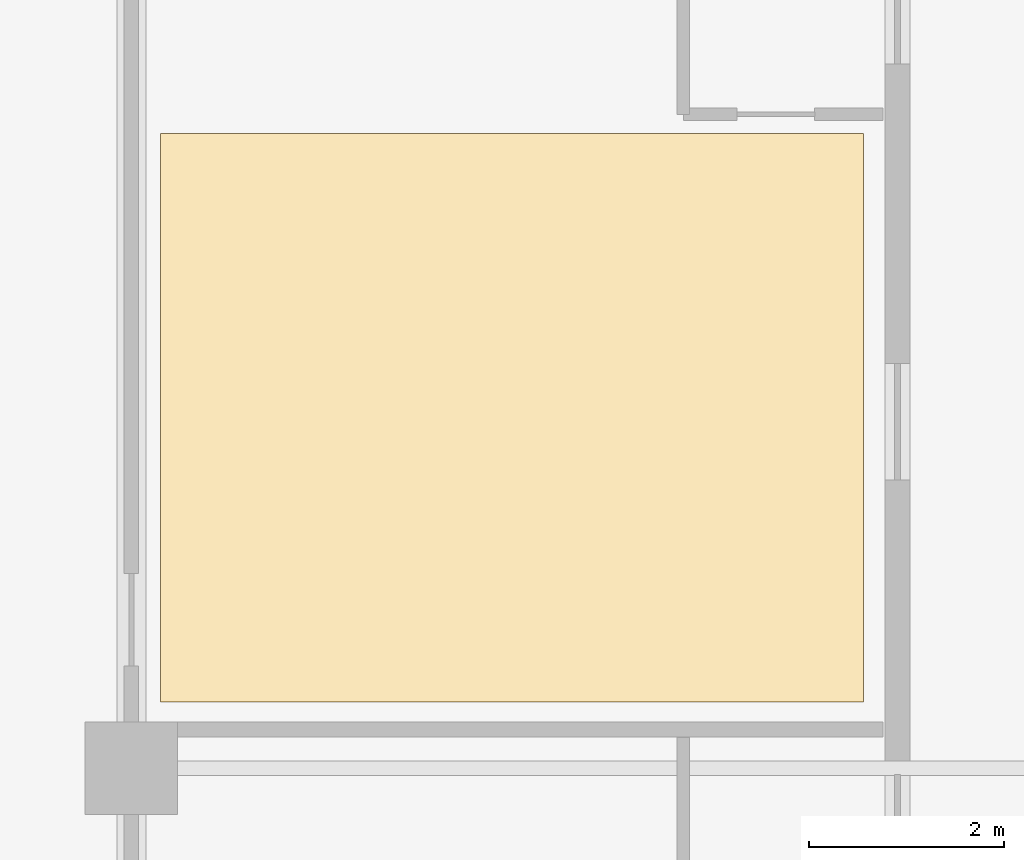
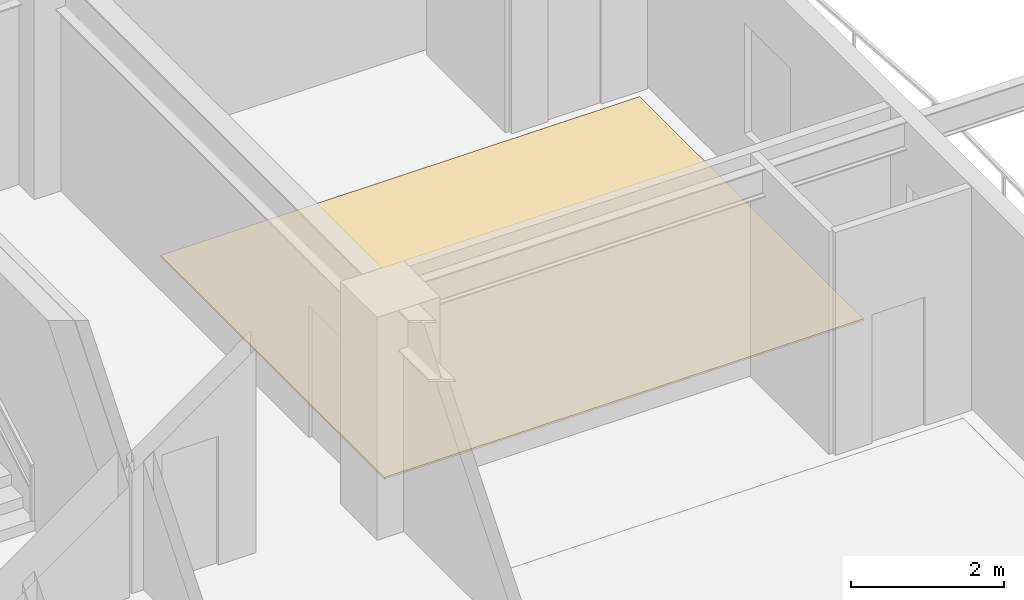
# One storey, part 11 of 12: 1 covering.
"""IFC4 building model written with IfcOpenShell, lengths in metres."""

import ifcopenshell
import ifcopenshell.guid

model = None  # the IFC model being written
_history = None  # IfcOwnerHistory: only IFC2X3 demands one
_inside = {}  # id of a spatial element -> (the spatial element, [elements in it])
_under = {}  # id of a project, library or spatial element -> (it, [spatial elements below it])
_declared = {}  # id of a project -> (the project, [libraries it declares])
_typed = {}  # id of a type object -> (the type object, [elements of that type])
_made_of = {}  # id of a material, layer set ... -> (it, [elements and type objects made of it])


def new_model(schema):
    """Start an empty IFC model of exactly this schema.

    Asked for "IFC4X3", IfcOpenShell would pick the latest addendum, in which some entities
    have other attributes; the version numbers below select the first issue.
    IFC2X3 requires an IfcOwnerHistory on every rooted entity: one is made here for all.
    """
    global model, _history
    if schema == "IFC4X3":
        model = ifcopenshell.file(schema_version=(4, 3, 0, 0))
    else:
        model = ifcopenshell.file(schema=schema)
    _inside.clear()
    _under.clear()
    _declared.clear()
    _typed.clear()
    _made_of.clear()
    _history = None
    if model.schema == "IFC2X3":
        org = make("IfcOrganization", Name="unknown")
        user = make(
            "IfcPersonAndOrganization",
            ThePerson=make("IfcPerson", FamilyName="unknown"),
            TheOrganization=org,
        )
        app = make(
            "IfcApplication",
            ApplicationDeveloper=org,
            Version="unknown",
            ApplicationFullName="unknown",
            ApplicationIdentifier="unknown",
        )
        _history = make(
            "IfcOwnerHistory",
            OwningUser=user,
            OwningApplication=app,
            ChangeAction="ADDED",
            CreationDate=0,
        )
    return model


def make(cls, **values):
    """One entity of the class cls with the attributes given. An attribute that is None is left unset."""
    return model.create_entity(
        cls, **{name: value for name, value in values.items() if value is not None}
    )


def rooted(cls, **values):
    """An entity with a GlobalId (a new one), such as an element, a storey or a relation."""
    return make(cls, GlobalId=ifcopenshell.guid.new(), OwnerHistory=_history, **values)


def si_unit(unit_type, name, prefix=None):
    """IfcSIUnit, for example si_unit("LENGTHUNIT", "METRE", prefix="MILLI")."""
    return make("IfcSIUnit", UnitType=unit_type, Prefix=prefix, Name=name)


def assignment(units):
    """IfcUnitAssignment: the units of a project."""
    return None if units is None else make("IfcUnitAssignment", Units=units)


def point(xyz):
    """IfcCartesianPoint."""
    return None if xyz is None else make("IfcCartesianPoint", Coordinates=xyz)


def direction(xyz):
    """IfcDirection."""
    return None if xyz is None else make("IfcDirection", DirectionRatios=xyz)


def frame(location, z_axis=None, x_axis=None):
    """IfcAxis2Placement3D, a coordinate frame: its origin and axes. An axis left out is left unset."""
    return make(
        "IfcAxis2Placement3D",
        Location=point(location),
        Axis=direction(z_axis),
        RefDirection=direction(x_axis),
    )


def origin():
    """The frame at (0, 0, 0) with its axes left unset."""
    return frame((0.0, 0.0, 0.0))


def place(relative_to, where):
    """IfcLocalPlacement: puts the frame where relative to a parent placement (None: the world)."""
    return make(
        "IfcLocalPlacement", PlacementRelTo=relative_to, RelativePlacement=where
    )


def context(
    kind, dimensions, precision=None, world=None, true_north=None, identifier=None
):
    """IfcGeometricRepresentationContext, for example the 3D "Model" context."""
    return make(
        "IfcGeometricRepresentationContext",
        ContextIdentifier=identifier,
        ContextType=kind,
        CoordinateSpaceDimension=dimensions,
        Precision=precision,
        WorldCoordinateSystem=world,
        TrueNorth=true_north,
    )


def subcontext(parent, identifier, kind, view, scale=None):
    """IfcGeometricRepresentationSubContext, for example "Body" below "Model"."""
    return make(
        "IfcGeometricRepresentationSubContext",
        ContextIdentifier=identifier,
        ContextType=kind,
        ParentContext=parent,
        TargetScale=scale,
        TargetView=view,
    )


def project(units=None, contexts=None):
    """IfcProject with its units and contexts."""
    return rooted(
        "IfcProject",
        Name="project",
        RepresentationContexts=contexts,
        UnitsInContext=assignment(units),
    )


def spatial(cls, under=None, at=None, **own):
    """A site, building, storey or space (cls), placed at a placement, below another one or the project."""
    s = rooted(cls, ObjectPlacement=at, **own)
    if under is not None:
        _under.setdefault(under.id(), (under, []))[1].append(s)
    return s


def polyline(points):
    """IfcPolyline through the points."""
    return make("IfcPolyline", Points=[point(p) for p in points])


def outline(outer, holes=None, kind="AREA"):
    """IfcArbitraryClosedProfileDef: a profile drawn as a closed curve; with holes, ...WithVoids."""
    if holes is None:
        return make("IfcArbitraryClosedProfileDef", ProfileType=kind, OuterCurve=outer)
    return make(
        "IfcArbitraryProfileDefWithVoids",
        ProfileType=kind,
        OuterCurve=outer,
        InnerCurves=holes,
    )


def extrude(swept, where, along, depth):
    """IfcExtrudedAreaSolid: the profile swept, set in the frame where, extruded along a direction by depth."""
    return make(
        "IfcExtrudedAreaSolid",
        SweptArea=swept,
        Position=where,
        ExtrudedDirection=direction(along),
        Depth=depth,
    )


def shape(context_of_items, identifier, shape_type, items):
    """IfcShapeRepresentation: the items that make up one representation, for example the "Body"."""
    return make(
        "IfcShapeRepresentation",
        ContextOfItems=context_of_items,
        RepresentationIdentifier=identifier,
        RepresentationType=shape_type,
        Items=items,
    )


def material(Name=None, Category=None):
    """IfcMaterial."""
    return make("IfcMaterial", Name=Name, Category=Category)


def layer(
    of_material, thickness, ventilated=None, Name=None, Category=None, Priority=None
):
    """IfcMaterialLayer: one layer of a wall or slab, of a material (None: an air gap)."""
    return make(
        "IfcMaterialLayer",
        Material=of_material,
        LayerThickness=thickness,
        IsVentilated=ventilated,
        Name=Name,
        Category=Category,
        Priority=Priority,
    )


def layer_set(layers, Name=None):
    """IfcMaterialLayerSet."""
    return make("IfcMaterialLayerSet", MaterialLayers=layers, LayerSetName=Name)


def made_of(thing, what):
    """Note that an element or type object is made of a material, layer set ...; save() writes the relation."""
    if what is not None:
        _made_of.setdefault(what.id(), (what, []))[1].append(thing)
    return thing


def type_object(cls, material=None, **own):
    """A type object (cls), such as IfcWallType, which elements share."""
    return made_of(rooted(cls, **own), material)


def element(
    cls,
    number,
    at=None,
    inside=None,
    cuts=None,
    type_object=None,
    material=None,
    context=None,
    identifier="Body",
    shape_type=None,
    held_by="IfcProductDefinitionShape",
    body=None,
    shapes=None,
    **own,
):
    """One element of the class cls, such as IfcWall. Its Tag is "e" and its number.

    at: its placement. inside: the storey or other place that contains it. cuts: it is an
    opening in that element (IfcRelVoidsElement). A single representation is given by context,
    identifier, shape_type and body (its items); several are given by shapes. held_by: the class
    of the entity that holds the representations. save() writes the other relations.
    """
    e = rooted(cls, Tag="e%d" % number, ObjectPlacement=at, **own)
    if body is not None:
        shapes = [shape(context, identifier, shape_type, body)]
    if shapes is not None:
        e.Representation = make(held_by, Representations=shapes)
    if inside is not None:
        _inside.setdefault(inside.id(), (inside, []))[1].append(e)
    if cuts is not None:
        rooted(
            "IfcRelVoidsElement", RelatingBuildingElement=cuts, RelatedOpeningElement=e
        )
    if type_object is not None:
        _typed.setdefault(type_object.id(), (type_object, []))[1].append(e)
    return made_of(e, material)


def aggregate(whole, parts):
    """IfcRelAggregates: a whole, such as a stair, and the parts it consists of."""
    return rooted("IfcRelAggregates", RelatingObject=whole, RelatedObjects=parts)


def save(model, path):
    """Write the relations noted so far, then the file.

    IfcRelAggregates (storeys below a building ...), IfcRelContainedInSpatialStructure (elements
    in a storey), IfcRelDefinesByType, IfcRelAssociatesMaterial and IfcRelDeclares: one each for
    every whole, place, type object, material and project.
    """
    for whole, parts in _under.values():
        aggregate(whole, parts)
    for where, things in _inside.values():
        rooted(
            "IfcRelContainedInSpatialStructure",
            RelatedElements=things,
            RelatingStructure=where,
        )
    for kind, things in _typed.values():
        rooted("IfcRelDefinesByType", RelatedObjects=things, RelatingType=kind)
    for what, things in _made_of.values():
        rooted("IfcRelAssociatesMaterial", RelatedObjects=things, RelatingMaterial=what)
    for by, libraries in _declared.values():
        rooted("IfcRelDeclares", RelatingContext=by, RelatedDefinitions=libraries)
    model.write(path)


model = new_model("IFC4")

# Units and contexts
model_context = context("Model", 3, precision=1e-05, world=origin(), true_north=direction((0.0, 1.0)))
body_context = subcontext(model_context, "Body", "Model", "MODEL_VIEW")
ifc_project = project(units=[si_unit("LENGTHUNIT", "METRE"), si_unit("AREAUNIT", "SQUARE_METRE"), si_unit("VOLUMEUNIT", "CUBIC_METRE"), si_unit("PLANEANGLEUNIT", "RADIAN"), si_unit("MASSUNIT", "GRAM", prefix="KILO")], contexts=[model_context])

# Site, building, storey
site_placement = place(None, origin())
site = spatial("IfcSite", under=ifc_project, at=site_placement, CompositionType="ELEMENT")
building_placement = place(site_placement, origin())
building = spatial("IfcBuilding", under=site, at=building_placement, Name="Kundavana Baori Tower", CompositionType="ELEMENT")
storey_placement = place(building_placement, frame((0.0, 0.0, 200.25)))
storey = spatial("IfcBuildingStorey", under=building, at=storey_placement, Name="L49", CompositionType="ELEMENT", Elevation=200.25)

# Covering
ifc_material = material(Name="Honed Kota Stone and Terrazzo Flooring", Category="masonry")
ifc_layer = layer(ifc_material, 0.030029296875, Name="COV-INT-FLR")
ifc_layer_set = layer_set([ifc_layer], Name="Honed Kota Stone and Terrazzo Flooring")
covering_type = type_object("IfcCoveringType", Name="COV-INT-FLR", PredefinedType="FLOORING", material=ifc_layer_set)
covering_placement = place(storey_placement, origin())
element("IfcCovering", 1, at=covering_placement, inside=storey, type_object=covering_type, Name="L49 Room Finished Stone Flooring 6", PredefinedType="FLOORING", context=body_context, shape_type="SweptSolid", body=[
    extrude(outline(polyline([(43.10009765625, 33.679931640625), (50.320068359375, 33.679931640625), (50.320068359375, 39.52001953125), (43.10009765625, 39.52001953125), (43.10009765625, 33.679931640625)])), origin(), (0.0, 0.0, 1.0), 0.030029296875),
])

save(model, "model.ifc")
